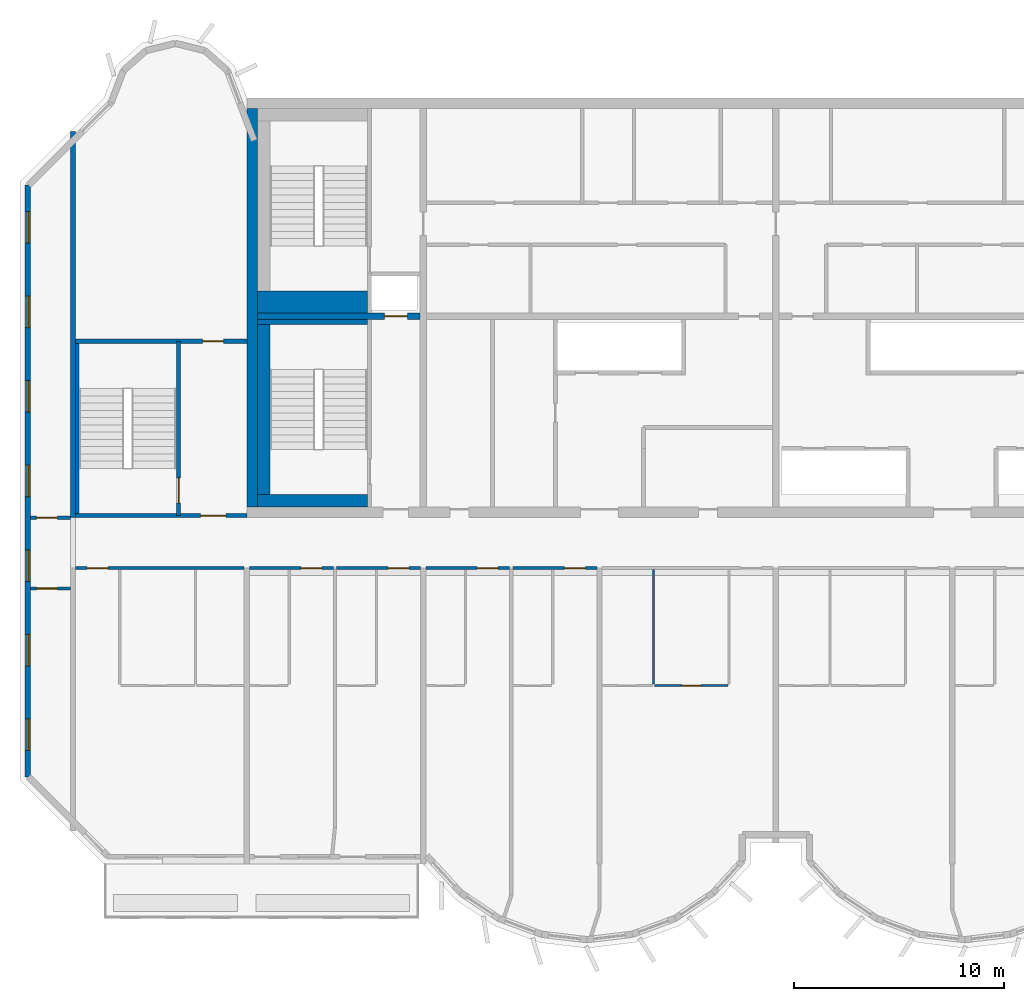
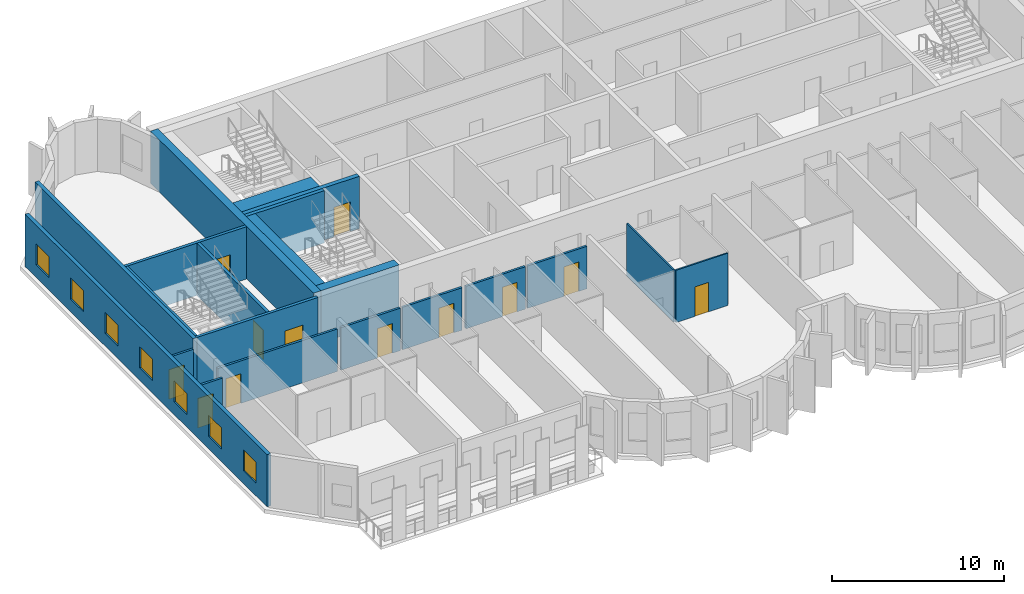
# One storey, part 3 of 12: 21 walls, 12 doors, 7 windows, 19 openings.
"""IFC4 building model written with IfcOpenShell, lengths in metres."""

from ifc_helpers import new_model, si_unit, direction, frame, frame_2d, origin, place, context, subcontext, project, spatial, rectangle, extrude, source, transform, mapped, material, layer, layer_set, type_object, element, fill, save


model = new_model("IFC4")

# Units and contexts
model_context = context("Model", 3, precision=1e-05, world=origin(), true_north=direction((0.0, 1.0)))
body_context = subcontext(model_context, "Body", "Model", "MODEL_VIEW")
ifc_project = project(units=[si_unit("LENGTHUNIT", "METRE"), si_unit("AREAUNIT", "SQUARE_METRE"), si_unit("VOLUMEUNIT", "CUBIC_METRE"), si_unit("PLANEANGLEUNIT", "RADIAN"), si_unit("MASSUNIT", "GRAM", prefix="KILO")], contexts=[model_context])

# Site, building, storey
site_placement = place(None, origin())
site = spatial("IfcSite", under=ifc_project, at=site_placement, CompositionType="ELEMENT")
building_placement = place(site_placement, origin())
building = spatial("IfcBuilding", under=site, at=building_placement, Name="Vanashikhar Sky Hotel", CompositionType="ELEMENT")
storey_placement = place(building_placement, frame((0.0, 0.0, 289.699951171875)))
storey = spatial("IfcBuildingStorey", under=building, at=storey_placement, Name="L69", CompositionType="ELEMENT", Elevation=289.699951171875)

# Wall
ifc_material_1 = material(Name="Concrete M50", Category="concrete")
ifc_layer_1 = layer(ifc_material_1, 0.5)
ifc_layer_set_1 = layer_set([ifc_layer_1], Name="RC core shell wall 500 Concrete M50")
wall_type_1 = type_object("IfcWallType", Name="RC core shell wall 500 Concrete M50", PredefinedType="SHEAR", material=ifc_layer_set_1)
shared_shape_1 = source(origin(), body_context, "Body", "SweptSolid", [
    extrude(rectangle(XDim=19.0, YDim=0.5, at=frame_2d((9.5, 0.0))), origin(), (0.0, 0.0, 1.0), 3.719970703125),
])
wall_1_placement = place(storey_placement, frame((25.449951171875, 22.5, 0.0), z_axis=(0.0, 0.0, 1.0), x_axis=(0.0, 1.0, 0.0)))
element("IfcWall", 1, at=wall_1_placement, inside=storey, type_object=wall_type_1, Name="KW-L69-KW", PredefinedType="SHEAR", context=body_context, shape_type="MappedRepresentation", body=[
    mapped(shared_shape_1, transform((0.0, 0.0, 0.0), scale=1.0)),
])

# Wall, opening, door
ifc_layer_2 = layer(ifc_material_1, 0.300048828125)
ifc_layer_set_2 = layer_set([ifc_layer_2], Name="RC core inner wall 300 Concrete M50")
wall_type_2 = type_object("IfcWallType", Name="RC core inner wall 300 Concrete M50", PredefinedType="SHEAR", material=ifc_layer_set_2)
shared_shape_2 = source(origin(), body_context, "Body", "SweptSolid", [
    extrude(rectangle(XDim=7.75, YDim=0.300048828125, at=frame_2d((3.875, 0.0))), origin(), (0.0, 0.0, 1.0), 3.719970703125),
])
wall_2_placement = place(storey_placement, frame((25.699951171875, 31.60009765625, 0.0), z_axis=(0.0, 0.0, 1.0), x_axis=(1.0, 0.0, 0.0)))
wall_2 = element("IfcWall", 2, at=wall_2_placement, inside=storey, type_object=wall_type_2, Name="KW-L69-KY1", PredefinedType="SHEAR", context=body_context, shape_type="MappedRepresentation", body=[
    mapped(shared_shape_2, transform((0.0, 0.0, 0.0), scale=1.0)),
])
shared_shape_3 = source(origin(), body_context, "Body", "SweptSolid", [
    extrude(rectangle(XDim=1.10009765625, YDim=2.10009765625, at=frame_2d((0.550048828125, 1.050048828125))), frame((0.0, 0.16015625, 0.0), z_axis=(0.0, -1.0, 0.0), x_axis=(1.0, 0.0, 0.0)), (0.0, 0.0, 1.0), 0.320068359375),
])
opening_1_placement = place(wall_2_placement, frame((6.050048828125, 0.0, 0.0)))
opening_1 = element("IfcOpeningElement", 3, at=opening_1_placement, cuts=wall_2, Name="Opening LD", PredefinedType="OPENING", context=body_context, shape_type="MappedRepresentation", body=[
    mapped(shared_shape_3, transform((0.0, 0.0, 0.0), scale=1.0)),
])
ifc_material_2 = material(Name="Stainless steel", Category="steel")
door_type_1 = type_object("IfcDoorType", Name="Lift landing door 1100", OperationType="NOTDEFINED", PredefinedType="DOOR", material=ifc_material_2)
shared_shape_4 = source(origin(), body_context, "Body", "SweptSolid", [
    extrude(rectangle(XDim=1.10009765625, YDim=2.10009765625, at=frame_2d((0.550048828125, 1.050048828125))), frame((0.0, 0.02490234375, 0.0), z_axis=(0.0, -1.0, 0.0), x_axis=(1.0, 0.0, 0.0)), (0.0, 0.0, 1.0), 0.050048828125),
])
door_1_placement = place(opening_1_placement, origin())
door_1 = element("IfcDoor", 4, at=door_1_placement, inside=storey, type_object=door_type_1, Name="Lift landing door 1100", OperationType="SLIDING_TO_LEFT", OverallHeight=2.10009765625, OverallWidth=1.10009765625, PredefinedType="DOOR", context=body_context, shape_type="MappedRepresentation", body=[
    mapped(shared_shape_4, transform((0.0, 0.0, 0.0), scale=1.0)),
])
fill(opening_1, door_1)

# Wall
ifc_layer_3 = layer(ifc_material_1, 0.25)
ifc_layer_set_3 = layer_set([ifc_layer_3], Name="RC shear wall 250 Concrete M50")
wall_type_3 = type_object("IfcWallType", Name="RC shear wall 250 Concrete M50", PredefinedType="SHEAR", material=ifc_layer_set_3)
shared_shape_5 = source(origin(), body_context, "Body", "SweptSolid", [
    extrude(rectangle(XDim=18.39990234375, YDim=0.25, at=frame_2d((9.199951171875, 0.0))), origin(), (0.0, 0.0, 1.0), 3.719970703125),
])
wall_3_placement = place(storey_placement, frame((16.925048828125, 22.0, 0.0), z_axis=(0.0, 0.0, 1.0), x_axis=(0.0, 1.0, 0.0)))
element("IfcWall", 5, at=wall_3_placement, inside=storey, type_object=wall_type_3, Name="CW-L69-XW03-2", PredefinedType="SHEAR", context=body_context, shape_type="MappedRepresentation", body=[
    mapped(shared_shape_5, transform((0.0, 0.0, 0.0), scale=1.0)),
])

# Wall, openings, windows
ifc_layer_4 = layer(ifc_material_1, 0.25)
ifc_layer_set_4 = layer_set([ifc_layer_4], Name="Rear and end board-marked wall 250")
wall_type_4 = type_object("IfcWallType", Name="Rear and end board-marked wall 250", PredefinedType="SOLIDWALL", material=ifc_layer_set_4)
shared_shape_6 = source(origin(), body_context, "Body", "SweptSolid", [
    extrude(rectangle(XDim=28.189453125, YDim=0.25, at=frame_2d((14.0947265625, 0.0))), origin(), (0.0, 0.0, 1.0), 3.719970703125),
])
wall_4_placement = place(storey_placement, frame((14.77490234375, 37.8447265625, 0.0), z_axis=(0.0, 0.0, 1.0), x_axis=(0.0, -1.0, 0.0)))
wall_4 = element("IfcWall", 6, at=wall_4_placement, inside=storey, type_object=wall_type_4, Name="End board-marked wall", PredefinedType="SOLIDWALL", context=body_context, shape_type="MappedRepresentation", body=[
    mapped(shared_shape_6, transform((0.0, 0.0, 0.0), scale=1.0)),
])
shared_shape_7 = source(origin(), body_context, "Body", "SweptSolid", [
    extrude(rectangle(XDim=1.5, YDim=1.5, at=frame_2d((0.75, 0.75))), frame((0.0, 0.135009765625, 0.0), z_axis=(0.0, -1.0, 0.0), x_axis=(1.0, 0.0, 0.0)), (0.0, 0.0, 1.0), 0.27001953125),
])
opening_2_placement = place(wall_4_placement, frame((1.263427734375, 0.0, 0.89990234375)))
opening_2 = element("IfcOpeningElement", 7, at=opening_2_placement, cuts=wall_4, Name="Opening WN-1", PredefinedType="OPENING", context=body_context, shape_type="MappedRepresentation", body=[
    mapped(shared_shape_7, transform((0.0, 0.0, 0.0), scale=1.0)),
])
opening_3_placement = place(wall_4_placement, frame((5.29052734375, 0.0, 0.89990234375)))
opening_3 = element("IfcOpeningElement", 8, at=opening_3_placement, cuts=wall_4, Name="Opening WN-1", PredefinedType="OPENING", context=body_context, shape_type="MappedRepresentation", body=[
    mapped(shared_shape_7, transform((0.0, 0.0, 0.0), scale=1.0)),
])
opening_4_placement = place(wall_4_placement, frame((9.317626953125, 0.0, 0.89990234375)))
opening_4 = element("IfcOpeningElement", 9, at=opening_4_placement, cuts=wall_4, Name="Opening WN-1", PredefinedType="OPENING", context=body_context, shape_type="MappedRepresentation", body=[
    mapped(shared_shape_7, transform((0.0, 0.0, 0.0), scale=1.0)),
])
opening_5_placement = place(wall_4_placement, frame((13.3447265625, 0.0, 0.89990234375)))
opening_5 = element("IfcOpeningElement", 10, at=opening_5_placement, cuts=wall_4, Name="Opening WN-1", PredefinedType="OPENING", context=body_context, shape_type="MappedRepresentation", body=[
    mapped(shared_shape_7, transform((0.0, 0.0, 0.0), scale=1.0)),
])
opening_6_placement = place(wall_4_placement, frame((17.371826171875, 0.0, 0.89990234375)))
opening_6 = element("IfcOpeningElement", 11, at=opening_6_placement, cuts=wall_4, Name="Opening WN-1", PredefinedType="OPENING", context=body_context, shape_type="MappedRepresentation", body=[
    mapped(shared_shape_7, transform((0.0, 0.0, 0.0), scale=1.0)),
])
opening_7_placement = place(wall_4_placement, frame((21.398681640625, 0.0, 0.89990234375)))
opening_7 = element("IfcOpeningElement", 12, at=opening_7_placement, cuts=wall_4, Name="Opening WN-1", PredefinedType="OPENING", context=body_context, shape_type="MappedRepresentation", body=[
    mapped(shared_shape_7, transform((0.0, 0.0, 0.0), scale=1.0)),
])
opening_8_placement = place(wall_4_placement, frame((25.42578125, 0.0, 0.89990234375)))
opening_8 = element("IfcOpeningElement", 13, at=opening_8_placement, cuts=wall_4, Name="Opening WN-1", PredefinedType="OPENING", context=body_context, shape_type="MappedRepresentation", body=[
    mapped(shared_shape_7, transform((0.0, 0.0, 0.0), scale=1.0)),
])
ifc_material_3 = material(Name="Glass", Category="glass")
window_type = type_object("IfcWindowType", Name="Window 1500 x 1500", PartitioningType="SINGLE_PANEL", PredefinedType="WINDOW", material=ifc_material_3)
shared_shape_8 = source(origin(), body_context, "Body", "SweptSolid", [
    extrude(rectangle(XDim=1.5, YDim=1.5, at=frame_2d((0.75, 0.75))), frame((0.0, 0.030029296875, 0.0), z_axis=(0.0, -1.0, 0.0), x_axis=(1.0, 0.0, 0.0)), (0.0, 0.0, 1.0), 0.06005859375),
])
window_1_placement = place(opening_2_placement, origin())
window_1 = element("IfcWindow", 14, at=window_1_placement, inside=storey, type_object=window_type, Name="Window WN-1", OverallHeight=1.5, OverallWidth=1.5, PartitioningType="SINGLE_PANEL", PredefinedType="WINDOW", context=body_context, shape_type="MappedRepresentation", body=[
    mapped(shared_shape_8, transform((0.0, 0.0, 0.0), scale=1.0)),
])
fill(opening_2, window_1)
window_2_placement = place(opening_3_placement, origin())
window_2 = element("IfcWindow", 15, at=window_2_placement, inside=storey, type_object=window_type, Name="Window WN-1", OverallHeight=1.5, OverallWidth=1.5, PartitioningType="SINGLE_PANEL", PredefinedType="WINDOW", context=body_context, shape_type="MappedRepresentation", body=[
    mapped(shared_shape_8, transform((0.0, 0.0, 0.0), scale=1.0)),
])
fill(opening_3, window_2)
window_3_placement = place(opening_4_placement, origin())
window_3 = element("IfcWindow", 16, at=window_3_placement, inside=storey, type_object=window_type, Name="Window WN-1", OverallHeight=1.5, OverallWidth=1.5, PartitioningType="SINGLE_PANEL", PredefinedType="WINDOW", context=body_context, shape_type="MappedRepresentation", body=[
    mapped(shared_shape_8, transform((0.0, 0.0, 0.0), scale=1.0)),
])
fill(opening_4, window_3)
window_4_placement = place(opening_5_placement, origin())
window_4 = element("IfcWindow", 17, at=window_4_placement, inside=storey, type_object=window_type, Name="Window WN-1", OverallHeight=1.5, OverallWidth=1.5, PartitioningType="SINGLE_PANEL", PredefinedType="WINDOW", context=body_context, shape_type="MappedRepresentation", body=[
    mapped(shared_shape_8, transform((0.0, 0.0, 0.0), scale=1.0)),
])
fill(opening_5, window_4)
window_5_placement = place(opening_6_placement, origin())
window_5 = element("IfcWindow", 18, at=window_5_placement, inside=storey, type_object=window_type, Name="Window WN-1", OverallHeight=1.5, OverallWidth=1.5, PartitioningType="SINGLE_PANEL", PredefinedType="WINDOW", context=body_context, shape_type="MappedRepresentation", body=[
    mapped(shared_shape_8, transform((0.0, 0.0, 0.0), scale=1.0)),
])
fill(opening_6, window_5)
window_6_placement = place(opening_7_placement, origin())
window_6 = element("IfcWindow", 19, at=window_6_placement, inside=storey, type_object=window_type, Name="Window WN-1", OverallHeight=1.5, OverallWidth=1.5, PartitioningType="SINGLE_PANEL", PredefinedType="WINDOW", context=body_context, shape_type="MappedRepresentation", body=[
    mapped(shared_shape_8, transform((0.0, 0.0, 0.0), scale=1.0)),
])
fill(opening_7, window_6)
window_7_placement = place(opening_8_placement, origin())
window_7 = element("IfcWindow", 20, at=window_7_placement, inside=storey, type_object=window_type, Name="Window WN-1", OverallHeight=1.5, OverallWidth=1.5, PartitioningType="SINGLE_PANEL", PredefinedType="WINDOW", context=body_context, shape_type="MappedRepresentation", body=[
    mapped(shared_shape_8, transform((0.0, 0.0, 0.0), scale=1.0)),
])
fill(opening_8, window_7)

# Wall, opening, door
ifc_layer_5 = layer(ifc_material_1, 0.199951171875)
ifc_layer_set_5 = layer_set([ifc_layer_5], Name="Stair wall 200")
wall_type_5 = type_object("IfcWallType", Name="Stair wall 200", PredefinedType="SOLIDWALL", material=ifc_layer_set_5)
shared_shape_9 = source(origin(), body_context, "Body", "SweptSolid", [
    extrude(rectangle(XDim=8.2998046875, YDim=0.199951171875, at=frame_2d((4.14990234375, 0.0))), origin(), (0.0, 0.0, 1.0), 3.719970703125),
])
wall_5_placement = place(storey_placement, frame((21.949951171875, 22.10009765625, 0.0), z_axis=(0.0, 0.0, 1.0), x_axis=(0.0, 1.0, 0.0)))
wall_5 = element("IfcWall", 21, at=wall_5_placement, inside=storey, type_object=wall_type_5, Name="Stair wall 200", PredefinedType="SOLIDWALL", context=body_context, shape_type="MappedRepresentation", body=[
    mapped(shared_shape_9, transform((0.0, 0.0, 0.0), scale=1.0)),
])
shared_shape_10 = source(origin(), body_context, "Body", "SweptSolid", [
    extrude(rectangle(XDim=1.199951171875, YDim=2.10009765625, at=frame_2d((0.60009765625, 1.050048828125))), frame((0.0, 0.10986328125, 0.0), z_axis=(0.0, -1.0, 0.0), x_axis=(1.0, 0.0, 0.0)), (0.0, 0.0, 1.0), 0.219970703125),
])
opening_9_placement = place(wall_5_placement, frame((0.60009765625, 0.0, 0.0)))
opening_9 = element("IfcOpeningElement", 22, at=opening_9_placement, cuts=wall_5, Name="Opening DC-1", PredefinedType="OPENING", context=body_context, shape_type="MappedRepresentation", body=[
    mapped(shared_shape_10, transform((0.0, 0.0, 0.0), scale=1.0)),
])
ifc_material_4 = material(Name="Steel", Category="steel")
door_type_2 = type_object("IfcDoorType", Name="Stair door 1200 FD120", OperationType="NOTDEFINED", PredefinedType="DOOR", material=ifc_material_4)
shared_shape_11 = source(origin(), body_context, "Body", "SweptSolid", [
    extrude(rectangle(XDim=1.199951171875, YDim=2.10009765625, at=frame_2d((0.60009765625, 1.050048828125))), frame((0.0, 0.02490234375, 0.0), z_axis=(0.0, -1.0, 0.0), x_axis=(1.0, 0.0, 0.0)), (0.0, 0.0, 1.0), 0.050048828125),
])
door_2_placement = place(opening_9_placement, origin())
door_2 = element("IfcDoor", 23, at=door_2_placement, inside=storey, type_object=door_type_2, Name="Stair door 1200 FD120", OperationType="SINGLE_SWING_RIGHT", OverallHeight=2.10009765625, OverallWidth=1.199951171875, PredefinedType="DOOR", context=body_context, shape_type="MappedRepresentation", body=[
    mapped(shared_shape_11, transform((0.0, 0.0, 0.0), scale=1.0)),
])
fill(opening_9, door_2)

shared_shape_12 = source(origin(), body_context, "Body", "SweptSolid", [
    extrude(rectangle(XDim=8.14990234375, YDim=0.199951171875, at=frame_2d((4.074951171875, 0.0))), origin(), (0.0, 0.0, 1.0), 3.719970703125),
])
wall_6_placement = place(storey_placement, frame((17.050048828125, 22.10009765625, 0.0), z_axis=(0.0, 0.0, 1.0), x_axis=(1.0, 0.0, 0.0)))
wall_6 = element("IfcWall", 24, at=wall_6_placement, inside=storey, type_object=wall_type_5, Name="Stair wall 200", PredefinedType="SOLIDWALL", context=body_context, shape_type="MappedRepresentation", body=[
    mapped(shared_shape_12, transform((0.0, 0.0, 0.0), scale=1.0)),
])
opening_10_placement = place(wall_6_placement, frame((5.949951171875, 0.0, 0.0)))
opening_10 = element("IfcOpeningElement", 25, at=opening_10_placement, cuts=wall_6, Name="Opening DC-2", PredefinedType="OPENING", context=body_context, shape_type="MappedRepresentation", body=[
    mapped(shared_shape_10, transform((0.0, 0.0, 0.0), scale=1.0)),
])
door_type_3 = type_object("IfcDoorType", Name="Firefighting lobby door 1200 FD120", OperationType="NOTDEFINED", PredefinedType="DOOR", material=ifc_material_4)
door_3_placement = place(opening_10_placement, origin())
door_3 = element("IfcDoor", 26, at=door_3_placement, inside=storey, type_object=door_type_3, Name="Firefighting lobby door 1200 FD120", OperationType="SINGLE_SWING_LEFT", OverallHeight=2.10009765625, OverallWidth=1.199951171875, PredefinedType="DOOR", context=body_context, shape_type="MappedRepresentation", body=[
    mapped(shared_shape_11, transform((0.0, 0.0, 0.0), scale=1.0)),
])
fill(opening_10, door_3)

wall_7_placement = place(storey_placement, frame((17.050048828125, 30.39990234375, 0.0), z_axis=(0.0, 0.0, 1.0), x_axis=(1.0, 0.0, 0.0)))
wall_7 = element("IfcWall", 27, at=wall_7_placement, inside=storey, type_object=wall_type_5, Name="Stair wall 200", PredefinedType="SOLIDWALL", context=body_context, shape_type="MappedRepresentation", body=[
    mapped(shared_shape_12, transform((0.0, 0.0, 0.0), scale=1.0)),
])
shared_shape_13 = source(origin(), body_context, "Body", "SweptSolid", [
    extrude(rectangle(XDim=1.0, YDim=2.10009765625, at=frame_2d((0.5, 1.050048828125))), frame((0.0, 0.10986328125, 0.0), z_axis=(0.0, -1.0, 0.0), x_axis=(1.0, 0.0, 0.0)), (0.0, 0.0, 1.0), 0.219970703125),
])
opening_11_placement = place(wall_7_placement, frame((6.050048828125, 0.0, 0.0)))
opening_11 = element("IfcOpeningElement", 28, at=opening_11_placement, cuts=wall_7, Name="Opening DC-6", PredefinedType="OPENING", context=body_context, shape_type="MappedRepresentation", body=[
    mapped(shared_shape_13, transform((0.0, 0.0, 0.0), scale=1.0)),
])
door_type_4 = type_object("IfcDoorType", Name="Pocket door 1000 FD60", OperationType="NOTDEFINED", PredefinedType="DOOR", material=ifc_material_4)
shared_shape_14 = source(origin(), body_context, "Body", "SweptSolid", [
    extrude(rectangle(XDim=1.0, YDim=2.10009765625, at=frame_2d((0.5, 1.050048828125))), frame((0.0, 0.02490234375, 0.0), z_axis=(0.0, -1.0, 0.0), x_axis=(1.0, 0.0, 0.0)), (0.0, 0.0, 1.0), 0.050048828125),
])
door_4_placement = place(opening_11_placement, origin())
door_4 = element("IfcDoor", 29, at=door_4_placement, inside=storey, type_object=door_type_4, Name="Pocket door 1000 FD60", OperationType="SINGLE_SWING_LEFT", OverallHeight=2.10009765625, OverallWidth=1.0, PredefinedType="DOOR", context=body_context, shape_type="MappedRepresentation", body=[
    mapped(shared_shape_14, transform((0.0, 0.0, 0.0), scale=1.0)),
])
fill(opening_11, door_4)

# Walls
ifc_layer_6 = layer(ifc_material_1, 0.60009765625)
ifc_layer_set_6 = layer_set([ifc_layer_6], Name="Stair infill wall 600")
wall_type_6 = type_object("IfcWallType", Name="Stair infill wall 600", PredefinedType="SOLIDWALL", material=ifc_layer_set_6)
shared_shape_15 = source(origin(), body_context, "Body", "SweptSolid", [
    extrude(rectangle(XDim=5.25, YDim=0.60009765625, at=frame_2d((2.625, 0.0))), origin(), (0.0, 0.0, 1.0), 3.719970703125),
])
wall_8_placement = place(storey_placement, frame((25.699951171875, 22.800048828125, 0.0), z_axis=(0.0, 0.0, 1.0), x_axis=(1.0, 0.0, 0.0)))
element("IfcWall", 30, at=wall_8_placement, inside=storey, type_object=wall_type_6, Name="Stair infill wall 600", PredefinedType="SOLIDWALL", context=body_context, shape_type="MappedRepresentation", body=[
    mapped(shared_shape_15, transform((0.0, 0.0, 0.0), scale=1.0)),
])
ifc_layer_7 = layer(ifc_material_1, 0.25)
ifc_layer_set_7 = layer_set([ifc_layer_7], Name="Stair infill wall 250")
wall_type_7 = type_object("IfcWallType", Name="Stair infill wall 250", PredefinedType="SOLIDWALL", material=ifc_layer_set_7)
shared_shape_16 = source(origin(), body_context, "Body", "SweptSolid", [
    extrude(rectangle(XDim=5.25, YDim=0.25, at=frame_2d((2.625, 0.0))), origin(), (0.0, 0.0, 1.0), 3.719970703125),
])
wall_9_placement = place(storey_placement, frame((25.699951171875, 31.324951171875, 0.0), z_axis=(0.0, 0.0, 1.0), x_axis=(1.0, 0.0, 0.0)))
element("IfcWall", 31, at=wall_9_placement, inside=storey, type_object=wall_type_7, Name="Stair infill wall 250", PredefinedType="SOLIDWALL", context=body_context, shape_type="MappedRepresentation", body=[
    mapped(shared_shape_16, transform((0.0, 0.0, 0.0), scale=1.0)),
])
shared_shape_17 = source(origin(), body_context, "Body", "SweptSolid", [
    extrude(rectangle(XDim=8.099853515625, YDim=0.60009765625, at=frame_2d((4.0498046875, 0.0))), origin(), (0.0, 0.0, 1.0), 3.719970703125),
])
wall_10_placement = place(storey_placement, frame((26.0, 23.10009765625, 0.0), z_axis=(0.0, 0.0, 1.0), x_axis=(0.0, 1.0, 0.0)))
element("IfcWall", 32, at=wall_10_placement, inside=storey, type_object=wall_type_6, Name="Stair infill wall 600", PredefinedType="SOLIDWALL", context=body_context, shape_type="MappedRepresentation", body=[
    mapped(shared_shape_17, transform((0.0, 0.0, 0.0), scale=1.0)),
])
ifc_layer_8 = layer(ifc_material_1, 0.14990234375)
ifc_layer_set_8 = layer_set([ifc_layer_8], Name="Stair infill wall 150")
wall_type_8 = type_object("IfcWallType", Name="Stair infill wall 150", PredefinedType="SOLIDWALL", material=ifc_layer_set_8)
shared_shape_18 = source(origin(), body_context, "Body", "SweptSolid", [
    extrude(rectangle(XDim=8.10009765625, YDim=0.14990234375, at=frame_2d((4.050048828125, 0.0))), origin(), (0.0, 0.0, 1.0), 3.719970703125),
])
wall_11_placement = place(storey_placement, frame((17.125, 22.199951171875, 0.0), z_axis=(0.0, 0.0, 1.0), x_axis=(0.0, 1.0, 0.0)))
element("IfcWall", 33, at=wall_11_placement, inside=storey, type_object=wall_type_8, Name="Stair infill wall 150", PredefinedType="SOLIDWALL", context=body_context, shape_type="MappedRepresentation", body=[
    mapped(shared_shape_18, transform((0.0, 0.0, 0.0), scale=1.0)),
])
ifc_layer_9 = layer(ifc_material_1, 1.050048828125)
ifc_layer_set_9 = layer_set([ifc_layer_9], Name="Stair infill wall 1050")
wall_type_9 = type_object("IfcWallType", Name="Stair infill wall 1050", PredefinedType="SOLIDWALL", material=ifc_layer_set_9)
shared_shape_19 = source(origin(), body_context, "Body", "SweptSolid", [
    extrude(rectangle(XDim=5.25, YDim=1.050048828125, at=frame_2d((2.625, 0.0))), origin(), (0.0, 0.0, 1.0), 3.719970703125),
])
wall_12_placement = place(storey_placement, frame((25.699951171875, 32.27490234375, 0.0), z_axis=(0.0, 0.0, 1.0), x_axis=(1.0, 0.0, 0.0)))
element("IfcWall", 34, at=wall_12_placement, inside=storey, type_object=wall_type_9, Name="Stair infill wall 1050", PredefinedType="SOLIDWALL", context=body_context, shape_type="MappedRepresentation", body=[
    mapped(shared_shape_19, transform((0.0, 0.0, 0.0), scale=1.0)),
])

# Wall, opening, door
ifc_material_5 = material(Name="Gypsum plasterboard partition")
ifc_layer_10 = layer(ifc_material_5, 0.10009765625)
ifc_layer_set_10 = layer_set([ifc_layer_10], Name="Wet room partition 100")
wall_type_10 = type_object("IfcWallType", Name="Wet room partition 100", PredefinedType="PARTITIONING", material=ifc_layer_set_10)
shared_shape_20 = source(origin(), body_context, "Body", "SweptSolid", [
    extrude(rectangle(XDim=3.5, YDim=0.10009765625, at=frame_2d((1.75, 0.0))), origin(), (0.0, 0.0, 1.0), 3.719970703125),
])
wall_13_placement = place(storey_placement, frame((44.625, 14.0, 0.0), z_axis=(0.0, 0.0, 1.0), x_axis=(1.0, 0.0, 0.0)))
wall_13 = element("IfcWall", 35, at=wall_13_placement, inside=storey, type_object=wall_type_10, Name="W-L69-PW022", PredefinedType="PARTITIONING", context=body_context, shape_type="MappedRepresentation", body=[
    mapped(shared_shape_20, transform((0.0, 0.0, 0.0), scale=1.0)),
])
shared_shape_21 = source(origin(), body_context, "Body", "SweptSolid", [
    extrude(rectangle(XDim=0.89990234375, YDim=2.10009765625, at=frame_2d((0.449951171875, 1.050048828125))), frame((0.0, 0.06005859375, 0.0), z_axis=(0.0, -1.0, 0.0), x_axis=(1.0, 0.0, 0.0)), (0.0, 0.0, 1.0), 0.1201171875),
])
opening_12_placement = place(wall_13_placement, frame((1.300048828125, 0.0, 0.0)))
opening_12 = element("IfcOpeningElement", 36, at=opening_12_placement, cuts=wall_13, Name="Opening D-02", PredefinedType="OPENING", context=body_context, shape_type="MappedRepresentation", body=[
    mapped(shared_shape_21, transform((0.0, 0.0, 0.0), scale=1.0)),
])
ifc_material_6 = material(Name="Timber door", Category="wood")
door_type_5 = type_object("IfcDoorType", Name="Internal door 900", OperationType="NOTDEFINED", PredefinedType="DOOR", material=ifc_material_6)
shared_shape_22 = source(origin(), body_context, "Body", "SweptSolid", [
    extrude(rectangle(XDim=0.89990234375, YDim=2.10009765625, at=frame_2d((0.449951171875, 1.050048828125))), frame((0.0, 0.02490234375, 0.0), z_axis=(0.0, -1.0, 0.0), x_axis=(1.0, 0.0, 0.0)), (0.0, 0.0, 1.0), 0.050048828125),
])
door_5_placement = place(opening_12_placement, origin())
door_5 = element("IfcDoor", 37, at=door_5_placement, inside=storey, type_object=door_type_5, Name="D-L69-012", OperationType="SINGLE_SWING_RIGHT", OverallHeight=2.10009765625, OverallWidth=0.89990234375, PredefinedType="DOOR", context=body_context, shape_type="MappedRepresentation", body=[
    mapped(shared_shape_22, transform((0.0, 0.0, 0.0), scale=1.0)),
])
fill(opening_12, door_5)

ifc_layer_11 = layer(ifc_material_5, 0.14990234375)
ifc_layer_set_11 = layer_set([ifc_layer_11], Name="Corridor and demising partition 150")
wall_type_11 = type_object("IfcWallType", Name="Corridor and demising partition 150", PredefinedType="PARTITIONING", material=ifc_layer_set_11)
shared_shape_23 = source(origin(), body_context, "Body", "SweptSolid", [
    extrude(rectangle(XDim=8.02490234375, YDim=0.14990234375, at=frame_2d((4.012451171875, 0.0))), origin(), (0.0, 0.0, 1.0), 3.02001953125),
])
wall_14_placement = place(storey_placement, frame((17.050048828125, 19.60009765625, 0.0), z_axis=(0.0, 0.0, 1.0), x_axis=(1.0, 0.0, 0.0)))
wall_14 = element("IfcWall", 38, at=wall_14_placement, inside=storey, type_object=wall_type_11, Name="W-L69-PW005", PredefinedType="PARTITIONING", context=body_context, shape_type="MappedRepresentation", body=[
    mapped(shared_shape_23, transform((0.0, 0.0, 0.0), scale=1.0)),
])
shared_shape_24 = source(origin(), body_context, "Body", "SweptSolid", [
    extrude(rectangle(XDim=1.0, YDim=2.10009765625, at=frame_2d((0.5, 1.050048828125))), frame((0.0, 0.0849609375, 0.0), z_axis=(0.0, -1.0, 0.0), x_axis=(1.0, 0.0, 0.0)), (0.0, 0.0, 1.0), 0.169921875),
])
opening_13_placement = place(wall_14_placement, frame((0.550048828125, 0.0, 0.0)))
opening_13 = element("IfcOpeningElement", 39, at=opening_13_placement, cuts=wall_14, Name="Opening D-01", PredefinedType="OPENING", context=body_context, shape_type="MappedRepresentation", body=[
    mapped(shared_shape_24, transform((0.0, 0.0, 0.0), scale=1.0)),
])
ifc_material_7 = material(Name="Timber fire door", Category="wood")
door_type_6 = type_object("IfcDoorType", Name="Guest entry door 1000 FD30S", OperationType="NOTDEFINED", PredefinedType="DOOR", material=ifc_material_7)
door_6_placement = place(opening_13_placement, origin())
door_6 = element("IfcDoor", 40, at=door_6_placement, inside=storey, type_object=door_type_6, Name="D-L69-003", OperationType="SINGLE_SWING_LEFT", OverallHeight=2.10009765625, OverallWidth=1.0, PredefinedType="DOOR", context=body_context, shape_type="MappedRepresentation", body=[
    mapped(shared_shape_14, transform((0.0, 0.0, 0.0), scale=1.0)),
])
fill(opening_13, door_6)

shared_shape_25 = source(origin(), body_context, "Body", "SweptSolid", [
    extrude(rectangle(XDim=1.900146484375, YDim=0.14990234375, at=frame_2d((0.9501953125, 0.0))), origin(), (0.0, 0.0, 1.0), 3.02001953125),
])
wall_15_placement = place(storey_placement, frame((14.89990234375, 22.0, 0.0), z_axis=(0.0, 0.0, 1.0), x_axis=(1.0, 0.0, 0.0)))
wall_15 = element("IfcWall", 41, at=wall_15_placement, inside=storey, type_object=wall_type_11, Name="W-L69-PW049", PredefinedType="PARTITIONING", context=body_context, shape_type="MappedRepresentation", body=[
    mapped(shared_shape_25, transform((0.0, 0.0, 0.0), scale=1.0)),
])
opening_14_placement = place(wall_15_placement, frame((0.27490234375, 0.0, 0.0)))
opening_14 = element("IfcOpeningElement", 42, at=opening_14_placement, cuts=wall_15, Name="Opening D-01", PredefinedType="OPENING", context=body_context, shape_type="MappedRepresentation", body=[
    mapped(shared_shape_24, transform((0.0, 0.0, 0.0), scale=1.0)),
])
door_7_placement = place(opening_14_placement, origin())
door_7 = element("IfcDoor", 43, at=door_7_placement, inside=storey, type_object=door_type_6, Name="D-L69-028", OperationType="SINGLE_SWING_LEFT", OverallHeight=2.10009765625, OverallWidth=1.0, PredefinedType="DOOR", context=body_context, shape_type="MappedRepresentation", body=[
    mapped(shared_shape_14, transform((0.0, 0.0, 0.0), scale=1.0)),
])
fill(opening_14, door_7)

wall_16_placement = place(storey_placement, frame((14.89990234375, 18.6279296875, 0.0), z_axis=(0.0, 0.0, 1.0), x_axis=(1.0, 0.0, 0.0)))
wall_16 = element("IfcWall", 44, at=wall_16_placement, inside=storey, type_object=wall_type_11, Name="W-L69-PW050", PredefinedType="PARTITIONING", context=body_context, shape_type="MappedRepresentation", body=[
    mapped(shared_shape_25, transform((0.0, 0.0, 0.0), scale=1.0)),
])
opening_15_placement = place(wall_16_placement, frame((0.27490234375, 0.0, 0.0)))
opening_15 = element("IfcOpeningElement", 45, at=opening_15_placement, cuts=wall_16, Name="Opening D-01", PredefinedType="OPENING", context=body_context, shape_type="MappedRepresentation", body=[
    mapped(shared_shape_24, transform((0.0, 0.0, 0.0), scale=1.0)),
])
door_8_placement = place(opening_15_placement, origin())
door_8 = element("IfcDoor", 46, at=door_8_placement, inside=storey, type_object=door_type_6, Name="D-L69-029", OperationType="SINGLE_SWING_LEFT", OverallHeight=2.10009765625, OverallWidth=1.0, PredefinedType="DOOR", context=body_context, shape_type="MappedRepresentation", body=[
    mapped(shared_shape_14, transform((0.0, 0.0, 0.0), scale=1.0)),
])
fill(opening_15, door_8)

# Wall
shared_shape_26 = source(origin(), body_context, "Body", "SweptSolid", [
    extrude(rectangle(XDim=5.449951171875, YDim=0.10009765625, at=frame_2d((2.72509765625, 0.0))), origin(), (0.0, 0.0, 1.0), 3.719970703125),
])
wall_17_placement = place(storey_placement, frame((44.574951171875, 14.074951171875, 0.0), z_axis=(0.0, 0.0, 1.0), x_axis=(0.0, 1.0, 0.0)))
element("IfcWall", 47, at=wall_17_placement, inside=storey, type_object=wall_type_10, Name="W-L69-PW021", PredefinedType="PARTITIONING", context=body_context, shape_type="MappedRepresentation", body=[
    mapped(shared_shape_26, transform((0.0, 0.0, 0.0), scale=1.0)),
])

# Wall, opening, door
shared_shape_27 = source(origin(), body_context, "Body", "SweptSolid", [
    extrude(rectangle(XDim=4.0, YDim=0.14990234375, at=frame_2d((2.0, 0.0))), origin(), (0.0, 0.0, 1.0), 3.02001953125),
])
wall_18_placement = place(storey_placement, frame((25.324951171875, 19.60009765625, 0.0), z_axis=(0.0, 0.0, 1.0), x_axis=(1.0, 0.0, 0.0)))
wall_18 = element("IfcWall", 48, at=wall_18_placement, inside=storey, type_object=wall_type_11, Name="W-L69-PW008", PredefinedType="PARTITIONING", context=body_context, shape_type="MappedRepresentation", body=[
    mapped(shared_shape_27, transform((0.0, 0.0, 0.0), scale=1.0)),
])
opening_16_placement = place(wall_18_placement, frame((2.449951171875, 0.0, 0.0)))
opening_16 = element("IfcOpeningElement", 49, at=opening_16_placement, cuts=wall_18, Name="Opening D-01", PredefinedType="OPENING", context=body_context, shape_type="MappedRepresentation", body=[
    mapped(shared_shape_24, transform((0.0, 0.0, 0.0), scale=1.0)),
])
door_9_placement = place(opening_16_placement, origin())
door_9 = element("IfcDoor", 50, at=door_9_placement, inside=storey, type_object=door_type_6, Name="D-L69-005", OperationType="SINGLE_SWING_RIGHT", OverallHeight=2.10009765625, OverallWidth=1.0, PredefinedType="DOOR", context=body_context, shape_type="MappedRepresentation", body=[
    mapped(shared_shape_14, transform((0.0, 0.0, 0.0), scale=1.0)),
])
fill(opening_16, door_9)

wall_19_placement = place(storey_placement, frame((29.47509765625, 19.60009765625, 0.0), z_axis=(0.0, 0.0, 1.0), x_axis=(1.0, 0.0, 0.0)))
wall_19 = element("IfcWall", 51, at=wall_19_placement, inside=storey, type_object=wall_type_11, Name="W-L69-PW011", PredefinedType="PARTITIONING", context=body_context, shape_type="MappedRepresentation", body=[
    mapped(shared_shape_27, transform((0.0, 0.0, 0.0), scale=1.0)),
])
opening_17_placement = place(wall_19_placement, frame((2.449951171875, 0.0, 0.0)))
opening_17 = element("IfcOpeningElement", 52, at=opening_17_placement, cuts=wall_19, Name="Opening D-01", PredefinedType="OPENING", context=body_context, shape_type="MappedRepresentation", body=[
    mapped(shared_shape_24, transform((0.0, 0.0, 0.0), scale=1.0)),
])
door_10_placement = place(opening_17_placement, origin())
door_10 = element("IfcDoor", 53, at=door_10_placement, inside=storey, type_object=door_type_6, Name="D-L69-007", OperationType="SINGLE_SWING_RIGHT", OverallHeight=2.10009765625, OverallWidth=1.0, PredefinedType="DOOR", context=body_context, shape_type="MappedRepresentation", body=[
    mapped(shared_shape_14, transform((0.0, 0.0, 0.0), scale=1.0)),
])
fill(opening_17, door_10)

wall_20_placement = place(storey_placement, frame((33.72509765625, 19.60009765625, 0.0), z_axis=(0.0, 0.0, 1.0), x_axis=(1.0, 0.0, 0.0)))
wall_20 = element("IfcWall", 54, at=wall_20_placement, inside=storey, type_object=wall_type_11, Name="W-L69-PW015", PredefinedType="PARTITIONING", context=body_context, shape_type="MappedRepresentation", body=[
    mapped(shared_shape_27, transform((0.0, 0.0, 0.0), scale=1.0)),
])
opening_18_placement = place(wall_20_placement, frame((2.449951171875, 0.0, 0.0)))
opening_18 = element("IfcOpeningElement", 55, at=opening_18_placement, cuts=wall_20, Name="Opening D-01", PredefinedType="OPENING", context=body_context, shape_type="MappedRepresentation", body=[
    mapped(shared_shape_24, transform((0.0, 0.0, 0.0), scale=1.0)),
])
door_11_placement = place(opening_18_placement, origin())
door_11 = element("IfcDoor", 56, at=door_11_placement, inside=storey, type_object=door_type_6, Name="D-L69-009", OperationType="SINGLE_SWING_RIGHT", OverallHeight=2.10009765625, OverallWidth=1.0, PredefinedType="DOOR", context=body_context, shape_type="MappedRepresentation", body=[
    mapped(shared_shape_14, transform((0.0, 0.0, 0.0), scale=1.0)),
])
fill(opening_18, door_11)

wall_21_placement = place(storey_placement, frame((37.875, 19.60009765625, 0.0), z_axis=(0.0, 0.0, 1.0), x_axis=(1.0, 0.0, 0.0)))
wall_21 = element("IfcWall", 57, at=wall_21_placement, inside=storey, type_object=wall_type_11, Name="W-L69-PW018", PredefinedType="PARTITIONING", context=body_context, shape_type="MappedRepresentation", body=[
    mapped(shared_shape_27, transform((0.0, 0.0, 0.0), scale=1.0)),
])
opening_19_placement = place(wall_21_placement, frame((2.449951171875, 0.0, 0.0)))
opening_19 = element("IfcOpeningElement", 58, at=opening_19_placement, cuts=wall_21, Name="Opening D-01", PredefinedType="OPENING", context=body_context, shape_type="MappedRepresentation", body=[
    mapped(shared_shape_24, transform((0.0, 0.0, 0.0), scale=1.0)),
])
door_12_placement = place(opening_19_placement, origin())
door_12 = element("IfcDoor", 59, at=door_12_placement, inside=storey, type_object=door_type_6, Name="D-L69-011", OperationType="SINGLE_SWING_RIGHT", OverallHeight=2.10009765625, OverallWidth=1.0, PredefinedType="DOOR", context=body_context, shape_type="MappedRepresentation", body=[
    mapped(shared_shape_14, transform((0.0, 0.0, 0.0), scale=1.0)),
])
fill(opening_19, door_12)

save(model, "model.ifc")
